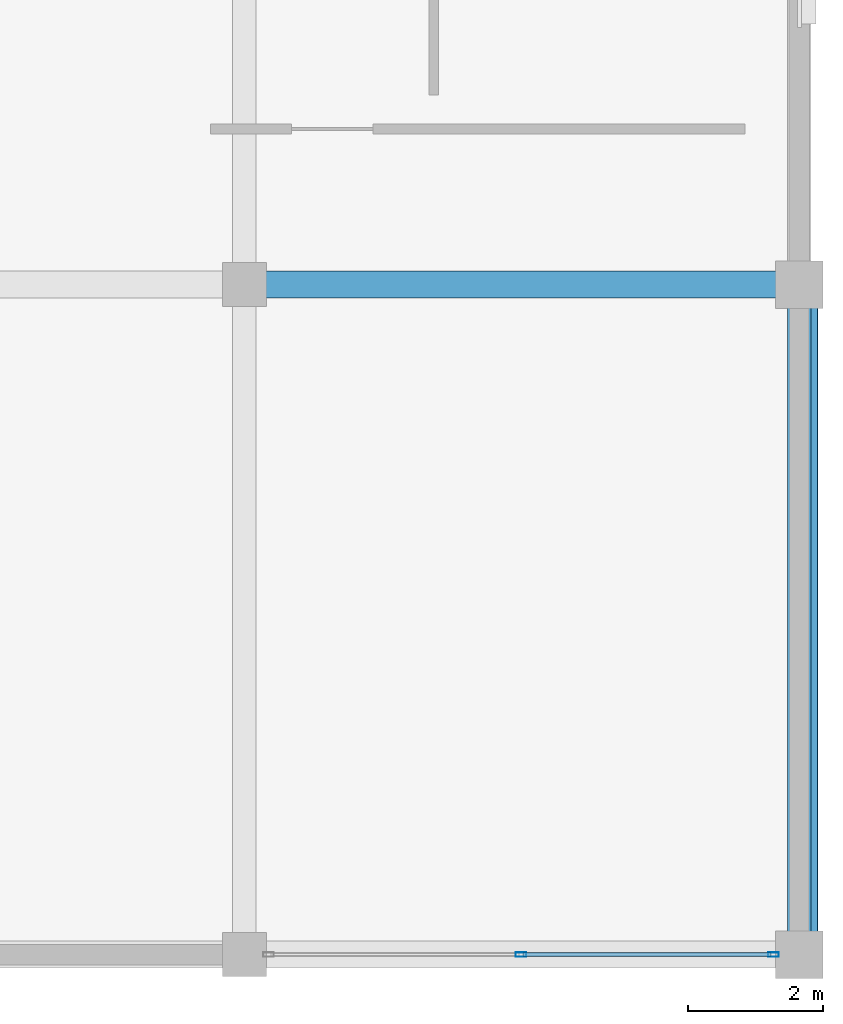
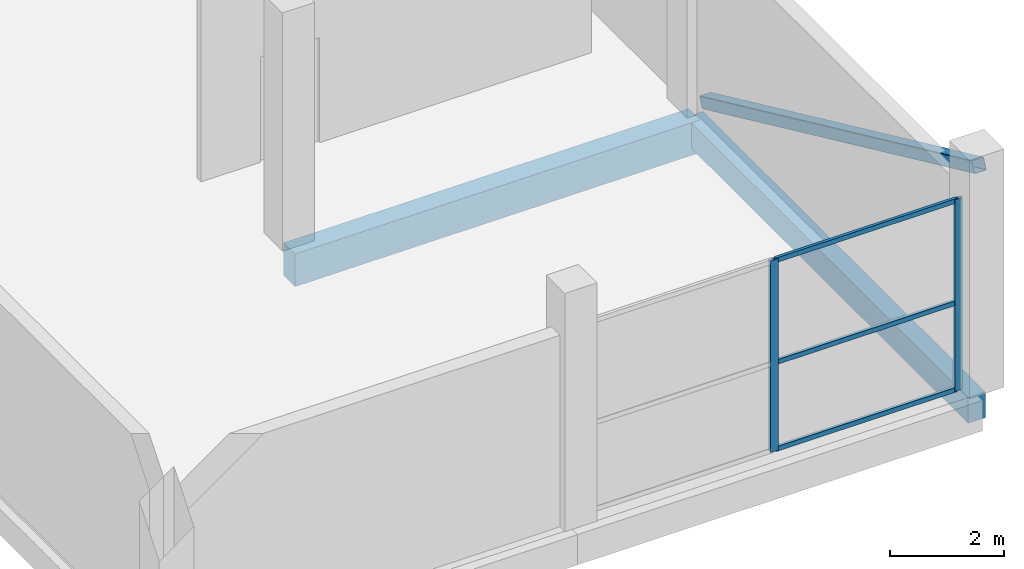
# One storey, part 13 of 67: 6 members, 2 beams, 1 element without a shape of its own.
"""IFC4 building model written with IfcOpenShell, lengths in metres."""

from ifc_helpers import new_model, si_unit, direction, frame, origin, origin_2d, place, context, subcontext, project, spatial, rectangle, hollow_rectangle, extrude, material, layer, layer_set, material_profile, profile_set, type_object, element, aggregate, save


model = new_model("IFC4")

# Units and contexts
model_context = context("Model", 3, precision=1e-05, world=origin(), true_north=direction((0.0, 1.0)))
body_context = subcontext(model_context, "Body", "Model", "MODEL_VIEW")
ifc_project = project(units=[si_unit("LENGTHUNIT", "METRE"), si_unit("AREAUNIT", "SQUARE_METRE"), si_unit("VOLUMEUNIT", "CUBIC_METRE"), si_unit("PLANEANGLEUNIT", "RADIAN"), si_unit("MASSUNIT", "GRAM", prefix="KILO")], contexts=[model_context])

# Site, building, storey
site_placement = place(None, origin())
site = spatial("IfcSite", under=ifc_project, at=site_placement, CompositionType="ELEMENT")
building_placement = place(site_placement, origin())
building = spatial("IfcBuilding", under=site, at=building_placement, Name="Sillaruma Civic Art Gallery", CompositionType="ELEMENT")
storey_placement = place(building_placement, frame((0.0, 0.0, 46.919921875)))
storey = spatial("IfcBuildingStorey", under=building, at=storey_placement, Name="L09", CompositionType="ELEMENT", Elevation=46.919921875)

# Beams
ifc_material_1 = material(Name="Concrete H35 (35 MPa)", Category="concrete")
ifc_material_profile_1 = material_profile(ifc_material_1, rectangle(XDim=0.39990234375, YDim=0.699951171875, at=origin_2d()), Name="RCB400x700")
ifc_profile_set_1 = profile_set([ifc_material_profile_1], Name="Concrete H35 (35 MPa)")
beam_type_1 = type_object("IfcBeamType", Name="BM-BEAM-RCB400x700", PredefinedType="BEAM", material=ifc_profile_set_1)
beam_1_placement = place(storey_placement, frame((106.199951171875, 29.699951171875, -0.599853515625), z_axis=(1.0, 0.0, 0.0), x_axis=(0.0, 1.0, 0.0)))
element("IfcBeam", 1, at=beam_1_placement, inside=storey, type_object=beam_type_1, Name="Beam BM-04 (L08:4:M-N)", PredefinedType="BEAM", context=body_context, shape_type="SweptSolid", body=[
    extrude(rectangle(XDim=0.39990234375, YDim=0.699951171875, at=origin_2d()), origin(), (0.0, 0.0, 1.0), 8.199951171875),
])
ifc_material_profile_2 = material_profile(ifc_material_1, rectangle(XDim=0.35009765625, YDim=0.550048828125, at=origin_2d()), Name="RCB350x550")
ifc_profile_set_2 = profile_set([ifc_material_profile_2], Name="Concrete H35 (35 MPa)")
beam_type_2 = type_object("IfcBeamType", Name="BM-SPANDREL-RCB350x550", PredefinedType="SPANDREL", material=ifc_profile_set_2)
beam_2_placement = place(storey_placement, frame((114.39990234375, 19.800048828125, -0.52490234375), z_axis=(0.0, 1.0, 0.0), x_axis=(-1.0, 0.0, 0.0)))
element("IfcBeam", 2, at=beam_2_placement, inside=storey, type_object=beam_type_2, Name="Beam BS-04 (L08:N:3-4)", PredefinedType="SPANDREL", context=body_context, shape_type="SweptSolid", body=[
    extrude(rectangle(XDim=0.35009765625, YDim=0.550048828125, at=origin_2d()), origin(), (0.0, 0.0, 1.0), 9.89990234375),
])

# Member
ifc_material_2 = material(Name="Structural Steel ASTM A500 Gr.C", Category="steel")
ifc_material_profile_3 = material_profile(ifc_material_2, hollow_rectangle(XDim=0.25, YDim=0.25, WallThickness=0.012451171875, InnerFilletRadius=0.012451171875, OuterFilletRadius=0.02490234375, at=origin_2d()), Name="HSS250x250x12.5")
ifc_profile_set_3 = profile_set([ifc_material_profile_3], Name="Structural Steel ASTM A500 Gr.C")
member_type_1 = type_object("IfcMemberType", Name="MEM-MEGA-BRACE", PredefinedType="BRACE", material=ifc_profile_set_3)
member_1_placement = place(storey_placement, frame((114.550048828125, 29.52001953125, 0.10009765625), z_axis=(0.0, -0.908074976581, 0.418807637116), x_axis=(1.0, 0.0, 0.0)))
element("IfcMember", 3, at=member_1_placement, inside=storey, type_object=member_type_1, Name="Exterior Expressed Gallery Seismic Diagonal Brace (L09-ES)", PredefinedType="BRACE", context=body_context, shape_type="SweptSolid", body=[
    extrude(hollow_rectangle(XDim=0.25, YDim=0.25, WallThickness=0.012451171875, InnerFilletRadius=0.012451171875, OuterFilletRadius=0.02490234375, at=origin_2d()), origin(), (0.0, 0.0, 1.0), 10.505859375),
])

# Curtain wall, members
ifc_material_3 = material(Name="Thermally Broken Extruded Aluminium 6063-T6", Category="aluminium")
ifc_layer = layer(ifc_material_3, 0.159912109375, Name="Thermally Broken Extruded Aluminium 6063-T6")
ifc_layer_set = layer_set([ifc_layer], Name="Thermally Broken Extruded Aluminium 6063-T6")
curtain_wall_type = type_object("IfcCurtainWallType", Name="CW-UNI-74", PredefinedType="NOTDEFINED", material=ifc_layer_set)
curtain_wall_placement = place(storey_placement, origin())
curtain_wall = element("IfcCurtainWall", 4, at=curtain_wall_placement, inside=storey, type_object=curtain_wall_type, Name="Unitised Curtain Wall CW-74 (CW-L09-EBS-2)", PredefinedType="NOTDEFINED")
ifc_material_profile_4 = material_profile(ifc_material_3, hollow_rectangle(XDim=0.06494140625, YDim=0.159912109375, WallThickness=0.00390625, at=origin_2d()), Name="CWM65x160")
ifc_profile_set_4 = profile_set([ifc_material_profile_4], Name="Thermally Broken Extruded Aluminium 6063-T6")
member_type_2 = type_object("IfcMemberType", Name="MEM-MUL-CWM65x160", PredefinedType="MULLION", material=ifc_profile_set_4)
member_2_placement = place(storey_placement, frame((110.28759765625, 19.800048828125, 0.0), z_axis=(0.0, 0.0, 1.0), x_axis=(0.0, 1.0, 0.0)))
member_2 = element("IfcMember", 5, at=member_2_placement, type_object=member_type_2, Name="CW-74 mullion 2", PredefinedType="MULLION", context=body_context, shape_type="SweptSolid", body=[
    extrude(hollow_rectangle(XDim=0.06494140625, YDim=0.159912109375, WallThickness=0.00390625, at=origin_2d()), origin(), (0.0, 0.0, 1.0), 4.10009765625),
])
member_3_placement = place(storey_placement, frame((114.017578125, 19.800048828125, 0.0), z_axis=(0.0, 0.0, 1.0), x_axis=(0.0, 1.0, 0.0)))
member_3 = element("IfcMember", 6, at=member_3_placement, type_object=member_type_2, Name="CW-74 mullion 3", PredefinedType="MULLION", context=body_context, shape_type="SweptSolid", body=[
    extrude(hollow_rectangle(XDim=0.06494140625, YDim=0.159912109375, WallThickness=0.00390625, at=origin_2d()), origin(), (0.0, 0.0, 1.0), 4.10009765625),
])
ifc_material_profile_5 = material_profile(ifc_material_3, hollow_rectangle(XDim=0.06005859375, YDim=0.10009765625, WallThickness=0.003173828125, at=origin_2d()), Name="CWT60x100")
ifc_profile_set_5 = profile_set([ifc_material_profile_5], Name="Thermally Broken Extruded Aluminium 6063-T6")
member_type_3 = type_object("IfcMemberType", Name="MEM-TRN-CWT60x100", PredefinedType="USERDEFINED", material=ifc_profile_set_5)
member_4_placement = place(storey_placement, frame((110.320068359375, 19.800048828125, 0.030029296875), z_axis=(1.0, 0.0, 0.0), x_axis=(0.0, 1.0, 0.0)))
member_4 = element("IfcMember", 7, at=member_4_placement, type_object=member_type_3, Name="CW-74 transom 2.1", ObjectType="TRANSOM", PredefinedType="USERDEFINED", context=body_context, shape_type="SweptSolid", body=[
    extrude(hollow_rectangle(XDim=0.06005859375, YDim=0.10009765625, WallThickness=0.003173828125, at=origin_2d()), origin(), (0.0, 0.0, 1.0), 3.6650390625),
])
member_5_placement = place(storey_placement, frame((110.320068359375, 19.800048828125, 1.885986328125), z_axis=(1.0, 0.0, 0.0), x_axis=(0.0, 1.0, 0.0)))
member_5 = element("IfcMember", 8, at=member_5_placement, type_object=member_type_3, Name="CW-74 transom 2.2", ObjectType="TRANSOM", PredefinedType="USERDEFINED", context=body_context, shape_type="SweptSolid", body=[
    extrude(hollow_rectangle(XDim=0.06005859375, YDim=0.10009765625, WallThickness=0.003173828125, at=origin_2d()), origin(), (0.0, 0.0, 1.0), 3.6650390625),
])
member_6_placement = place(storey_placement, frame((110.320068359375, 19.800048828125, 4.070068359375), z_axis=(1.0, 0.0, 0.0), x_axis=(0.0, 1.0, 0.0)))
member_6 = element("IfcMember", 9, at=member_6_placement, type_object=member_type_3, Name="CW-74 transom 2.3", ObjectType="TRANSOM", PredefinedType="USERDEFINED", context=body_context, shape_type="SweptSolid", body=[
    extrude(hollow_rectangle(XDim=0.06005859375, YDim=0.10009765625, WallThickness=0.003173828125, at=origin_2d()), origin(), (0.0, 0.0, 1.0), 3.6650390625),
])
aggregate(curtain_wall, [member_2, member_3, member_4, member_5, member_6])

save(model, "model.ifc")
